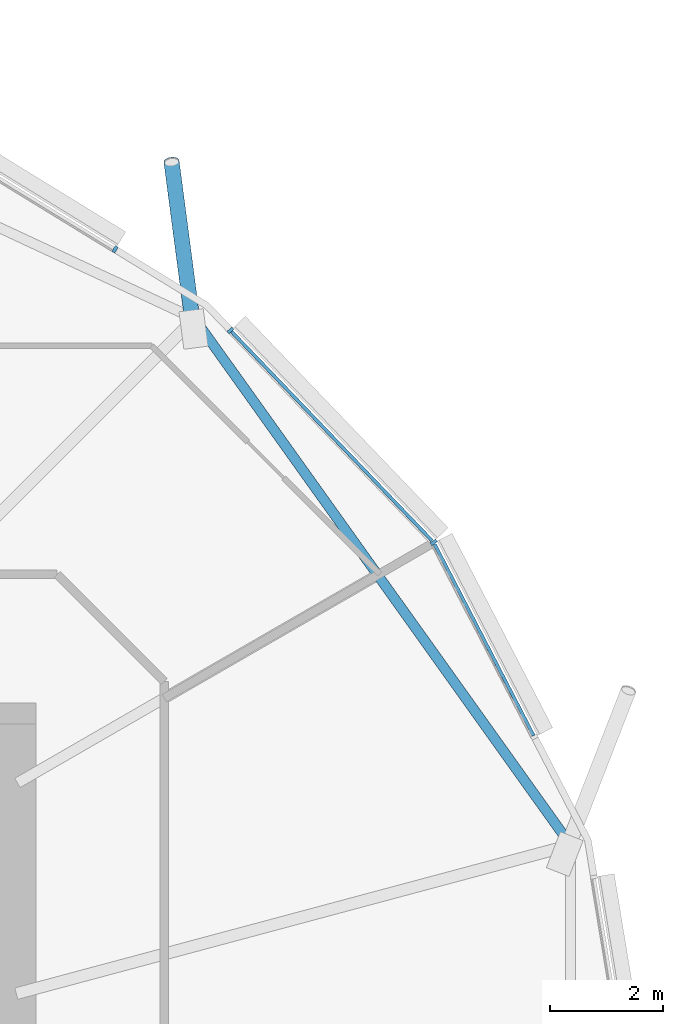
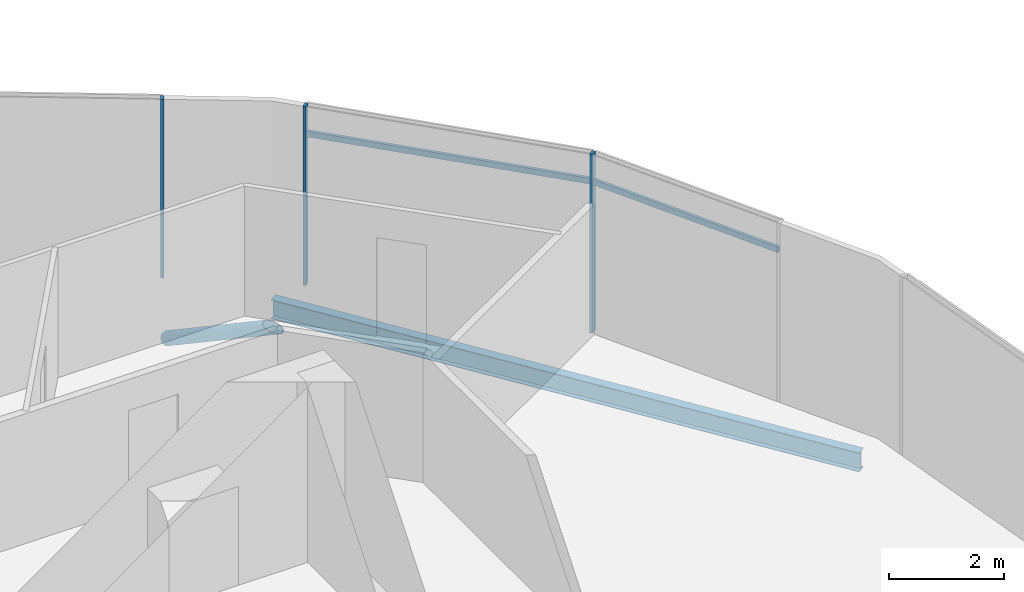
# One storey, part 12 of 38: 6 members, 1 beam, 1 element without a shape of its own.
"""IFC4 building model written with IfcOpenShell, lengths in metres."""

import ifcopenshell
import ifcopenshell.guid

model = None  # the IFC model being written
_history = None  # IfcOwnerHistory: only IFC2X3 demands one
_inside = {}  # id of a spatial element -> (the spatial element, [elements in it])
_under = {}  # id of a project, library or spatial element -> (it, [spatial elements below it])
_declared = {}  # id of a project -> (the project, [libraries it declares])
_typed = {}  # id of a type object -> (the type object, [elements of that type])
_made_of = {}  # id of a material, layer set ... -> (it, [elements and type objects made of it])


def new_model(schema):
    """Start an empty IFC model of exactly this schema.

    Asked for "IFC4X3", IfcOpenShell would pick the latest addendum, in which some entities
    have other attributes; the version numbers below select the first issue.
    IFC2X3 requires an IfcOwnerHistory on every rooted entity: one is made here for all.
    """
    global model, _history
    if schema == "IFC4X3":
        model = ifcopenshell.file(schema_version=(4, 3, 0, 0))
    else:
        model = ifcopenshell.file(schema=schema)
    _inside.clear()
    _under.clear()
    _declared.clear()
    _typed.clear()
    _made_of.clear()
    _history = None
    if model.schema == "IFC2X3":
        org = make("IfcOrganization", Name="unknown")
        user = make(
            "IfcPersonAndOrganization",
            ThePerson=make("IfcPerson", FamilyName="unknown"),
            TheOrganization=org,
        )
        app = make(
            "IfcApplication",
            ApplicationDeveloper=org,
            Version="unknown",
            ApplicationFullName="unknown",
            ApplicationIdentifier="unknown",
        )
        _history = make(
            "IfcOwnerHistory",
            OwningUser=user,
            OwningApplication=app,
            ChangeAction="ADDED",
            CreationDate=0,
        )
    return model


def make(cls, **values):
    """One entity of the class cls with the attributes given. An attribute that is None is left unset."""
    return model.create_entity(
        cls, **{name: value for name, value in values.items() if value is not None}
    )


def rooted(cls, **values):
    """An entity with a GlobalId (a new one), such as an element, a storey or a relation."""
    return make(cls, GlobalId=ifcopenshell.guid.new(), OwnerHistory=_history, **values)


def si_unit(unit_type, name, prefix=None):
    """IfcSIUnit, for example si_unit("LENGTHUNIT", "METRE", prefix="MILLI")."""
    return make("IfcSIUnit", UnitType=unit_type, Prefix=prefix, Name=name)


def assignment(units):
    """IfcUnitAssignment: the units of a project."""
    return None if units is None else make("IfcUnitAssignment", Units=units)


def point(xyz):
    """IfcCartesianPoint."""
    return None if xyz is None else make("IfcCartesianPoint", Coordinates=xyz)


def direction(xyz):
    """IfcDirection."""
    return None if xyz is None else make("IfcDirection", DirectionRatios=xyz)


def frame(location, z_axis=None, x_axis=None):
    """IfcAxis2Placement3D, a coordinate frame: its origin and axes. An axis left out is left unset."""
    return make(
        "IfcAxis2Placement3D",
        Location=point(location),
        Axis=direction(z_axis),
        RefDirection=direction(x_axis),
    )


def frame_2d(location, x_axis=None):
    """IfcAxis2Placement2D, a coordinate frame in the plane: its origin and x axis."""
    return make(
        "IfcAxis2Placement2D", Location=point(location), RefDirection=direction(x_axis)
    )


def origin():
    """The frame at (0, 0, 0) with its axes left unset."""
    return frame((0.0, 0.0, 0.0))


def origin_2d():
    """The frame at (0, 0) in the plane with its x axis left unset."""
    return frame_2d((0.0, 0.0))


def place(relative_to, where):
    """IfcLocalPlacement: puts the frame where relative to a parent placement (None: the world)."""
    return make(
        "IfcLocalPlacement", PlacementRelTo=relative_to, RelativePlacement=where
    )


def context(
    kind, dimensions, precision=None, world=None, true_north=None, identifier=None
):
    """IfcGeometricRepresentationContext, for example the 3D "Model" context."""
    return make(
        "IfcGeometricRepresentationContext",
        ContextIdentifier=identifier,
        ContextType=kind,
        CoordinateSpaceDimension=dimensions,
        Precision=precision,
        WorldCoordinateSystem=world,
        TrueNorth=true_north,
    )


def subcontext(parent, identifier, kind, view, scale=None):
    """IfcGeometricRepresentationSubContext, for example "Body" below "Model"."""
    return make(
        "IfcGeometricRepresentationSubContext",
        ContextIdentifier=identifier,
        ContextType=kind,
        ParentContext=parent,
        TargetScale=scale,
        TargetView=view,
    )


def project(units=None, contexts=None):
    """IfcProject with its units and contexts."""
    return rooted(
        "IfcProject",
        Name="project",
        RepresentationContexts=contexts,
        UnitsInContext=assignment(units),
    )


def spatial(cls, under=None, at=None, **own):
    """A site, building, storey or space (cls), placed at a placement, below another one or the project."""
    s = rooted(cls, ObjectPlacement=at, **own)
    if under is not None:
        _under.setdefault(under.id(), (under, []))[1].append(s)
    return s


def profile(cls, at=None, kind="AREA", **sizes):
    """A parametric profile (cls). Its sizes go by their IFC names, for example OverallWidth=200.0."""
    return make(cls, ProfileType=kind, Position=at, **sizes)


def rectangle(**sizes):
    """IfcRectangleProfileDef."""
    return profile("IfcRectangleProfileDef", **sizes)


def hollow_circle(**sizes):
    """IfcCircleHollowProfileDef."""
    return profile("IfcCircleHollowProfileDef", **sizes)


def i_section(**sizes):
    """IfcIShapeProfileDef."""
    return profile("IfcIShapeProfileDef", **sizes)


def extrude(swept, where, along, depth):
    """IfcExtrudedAreaSolid: the profile swept, set in the frame where, extruded along a direction by depth."""
    return make(
        "IfcExtrudedAreaSolid",
        SweptArea=swept,
        Position=where,
        ExtrudedDirection=direction(along),
        Depth=depth,
    )


def clip(a, b, op="DIFFERENCE"):
    """IfcBooleanClippingResult: the solid a cut by the half space b."""
    return make(
        "IfcBooleanClippingResult", Operator=op, FirstOperand=a, SecondOperand=b
    )


def halfspace(plane, agree):
    """IfcHalfSpaceSolid: all space on one side of the plane z = 0 of the frame plane."""
    return make(
        "IfcHalfSpaceSolid",
        BaseSurface=make("IfcPlane", Position=plane),
        AgreementFlag=agree,
    )


def shape(context_of_items, identifier, shape_type, items):
    """IfcShapeRepresentation: the items that make up one representation, for example the "Body"."""
    return make(
        "IfcShapeRepresentation",
        ContextOfItems=context_of_items,
        RepresentationIdentifier=identifier,
        RepresentationType=shape_type,
        Items=items,
    )


def material(Name=None, Category=None):
    """IfcMaterial."""
    return make("IfcMaterial", Name=Name, Category=Category)


def material_profile(
    of_material, cross_section, Name=None, Category=None, Priority=None
):
    """IfcMaterialProfile: a cross section and its material."""
    return make(
        "IfcMaterialProfile",
        Name=Name,
        Material=of_material,
        Profile=cross_section,
        Priority=Priority,
        Category=Category,
    )


def profile_set(profiles, Name=None, composite=None):
    """IfcMaterialProfileSet."""
    return make(
        "IfcMaterialProfileSet",
        Name=Name,
        MaterialProfiles=profiles,
        CompositeProfile=composite,
    )


def made_of(thing, what):
    """Note that an element or type object is made of a material, layer set ...; save() writes the relation."""
    if what is not None:
        _made_of.setdefault(what.id(), (what, []))[1].append(thing)
    return thing


def type_object(cls, material=None, **own):
    """A type object (cls), such as IfcWallType, which elements share."""
    return made_of(rooted(cls, **own), material)


def element(
    cls,
    number,
    at=None,
    inside=None,
    cuts=None,
    type_object=None,
    material=None,
    context=None,
    identifier="Body",
    shape_type=None,
    held_by="IfcProductDefinitionShape",
    body=None,
    shapes=None,
    **own,
):
    """One element of the class cls, such as IfcWall. Its Tag is "e" and its number.

    at: its placement. inside: the storey or other place that contains it. cuts: it is an
    opening in that element (IfcRelVoidsElement). A single representation is given by context,
    identifier, shape_type and body (its items); several are given by shapes. held_by: the class
    of the entity that holds the representations. save() writes the other relations.
    """
    e = rooted(cls, Tag="e%d" % number, ObjectPlacement=at, **own)
    if body is not None:
        shapes = [shape(context, identifier, shape_type, body)]
    if shapes is not None:
        e.Representation = make(held_by, Representations=shapes)
    if inside is not None:
        _inside.setdefault(inside.id(), (inside, []))[1].append(e)
    if cuts is not None:
        rooted(
            "IfcRelVoidsElement", RelatingBuildingElement=cuts, RelatedOpeningElement=e
        )
    if type_object is not None:
        _typed.setdefault(type_object.id(), (type_object, []))[1].append(e)
    return made_of(e, material)


def aggregate(whole, parts):
    """IfcRelAggregates: a whole, such as a stair, and the parts it consists of."""
    return rooted("IfcRelAggregates", RelatingObject=whole, RelatedObjects=parts)


def save(model, path):
    """Write the relations noted so far, then the file.

    IfcRelAggregates (storeys below a building ...), IfcRelContainedInSpatialStructure (elements
    in a storey), IfcRelDefinesByType, IfcRelAssociatesMaterial and IfcRelDeclares: one each for
    every whole, place, type object, material and project.
    """
    for whole, parts in _under.values():
        aggregate(whole, parts)
    for where, things in _inside.values():
        rooted(
            "IfcRelContainedInSpatialStructure",
            RelatedElements=things,
            RelatingStructure=where,
        )
    for kind, things in _typed.values():
        rooted("IfcRelDefinesByType", RelatedObjects=things, RelatingType=kind)
    for what, things in _made_of.values():
        rooted("IfcRelAssociatesMaterial", RelatedObjects=things, RelatingMaterial=what)
    for by, libraries in _declared.values():
        rooted("IfcRelDeclares", RelatingContext=by, RelatedDefinitions=libraries)
    model.write(path)


model = new_model("IFC4")

# Units and contexts
model_context = context("Model", 3, precision=1e-05, world=origin(), true_north=direction((0.0, 1.0)))
body_context = subcontext(model_context, "Body", "Model", "MODEL_VIEW")
ifc_project = project(units=[si_unit("LENGTHUNIT", "METRE"), si_unit("AREAUNIT", "SQUARE_METRE"), si_unit("VOLUMEUNIT", "CUBIC_METRE"), si_unit("PLANEANGLEUNIT", "RADIAN"), si_unit("MASSUNIT", "GRAM", prefix="KILO")], contexts=[model_context])

# Site, building, storey
site_placement = place(None, origin())
site = spatial("IfcSite", under=ifc_project, at=site_placement, CompositionType="ELEMENT")
building_placement = place(site_placement, origin())
building = spatial("IfcBuilding", under=site, at=building_placement, Name="Rimbun Link Towers", CompositionType="ELEMENT")
storey_placement = place(building_placement, frame((0.0, 0.0, 123.39990234375)))
storey = spatial("IfcBuildingStorey", under=building, at=storey_placement, Name="L30", CompositionType="ELEMENT", Elevation=123.39990234375)

# Curtain wall, members
ifc_material_1 = material(Name="Aluminium 6063-T6 and low-iron glass", Category="aluminium")
curtain_wall_type = type_object("IfcCurtainWallType", Name="CW1-Z2 unitised vision wall (zone 2)", PredefinedType="NOTDEFINED", material=ifc_material_1)
curtain_wall_placement = place(storey_placement, origin())
curtain_wall = element("IfcCurtainWall", 1, at=curtain_wall_placement, inside=storey, type_object=curtain_wall_type, Name="CW1 L30 T1", PredefinedType="NOTDEFINED")
ifc_material_2 = material(Name="Aluminium 6063-T6", Category="aluminium")
ifc_material_profile_1 = material_profile(ifc_material_2, rectangle(XDim=0.1201171875, YDim=0.06005859375, at=origin_2d()), Name="MULLION 60X120")
ifc_profile_set_1 = profile_set([ifc_material_profile_1], Name="Aluminium 6063-T6")
member_type_1 = type_object("IfcMemberType", Name="CW1 mullion 60X120", PredefinedType="MULLION", material=ifc_profile_set_1)
member_1_placement = place(storey_placement, frame((-12.32763671875, 11.22021484375, 0.0), z_axis=(0.0, 0.0, 1.0), x_axis=(0.813347990418, 0.581777488807, 0.0)))
member_1 = element("IfcMember", 2, at=member_1_placement, type_object=member_type_1, Name="CW1 mullion", PredefinedType="MULLION", context=body_context, shape_type="SweptSolid", body=[
    extrude(rectangle(XDim=0.1201171875, YDim=0.06005859375, at=origin_2d()), origin(), (0.0, 0.0, 1.0), 3.800048828125),
])
member_2_placement = place(storey_placement, frame((-15.92578125, 14.97412109375, 0.0), z_axis=(0.0, 0.0, 1.0), x_axis=(0.721834717261, 0.692065488922, 0.0)))
member_2 = element("IfcMember", 3, at=member_2_placement, type_object=member_type_1, Name="CW1 mullion", PredefinedType="MULLION", context=body_context, shape_type="SweptSolid", body=[
    extrude(rectangle(XDim=0.1201171875, YDim=0.06005859375, at=origin_2d()), origin(), (0.0, 0.0, 1.0), 3.800048828125),
])
member_3_placement = place(storey_placement, frame((-17.97216796875, 16.410888671875, 0.0), z_axis=(0.0, 0.0, 1.0), x_axis=(0.523243332621, 0.852183322336, 0.0)))
member_3 = element("IfcMember", 4, at=member_3_placement, type_object=member_type_1, Name="CW1 mullion", PredefinedType="MULLION", context=body_context, shape_type="SweptSolid", body=[
    extrude(rectangle(XDim=0.1201171875, YDim=0.06005859375, at=origin_2d()), origin(), (0.0, 0.0, 1.0), 3.800048828125),
])
ifc_material_3 = material(Name="Aluminium 6063-T6", Category="aluminium")
ifc_material_profile_2 = material_profile(ifc_material_3, rectangle(XDim=0.06005859375, YDim=0.1201171875, at=origin_2d()), Name="TRANSOM 60X120")
ifc_profile_set_2 = profile_set([ifc_material_profile_2], Name="Aluminium 6063-T6")
member_type_2 = type_object("IfcMemberType", Name="CW1 transom 60X120", PredefinedType="USERDEFINED", material=ifc_profile_set_2)
member_4_placement = place(storey_placement, frame((-12.311279296875, 11.185302734375, 3.2001953125), z_axis=(0.459527309955, -0.888163639993, 0.0), x_axis=(0.888163639993, 0.459527309955, 0.0)))
member_4 = element("IfcMember", 5, at=member_4_placement, type_object=member_type_2, Name="CW1 transom", ObjectType="TRANSOM", PredefinedType="USERDEFINED", context=body_context, shape_type="SweptSolid", body=[
    extrude(rectangle(XDim=0.06005859375, YDim=0.1201171875, at=origin_2d()), origin(), (0.0, 0.0, 1.0), 3.8173828125),
])
member_5_placement = place(storey_placement, frame((-15.906494140625, 14.950927734375, 3.2001953125), z_axis=(0.692057260801, -0.721842605955, 0.0), x_axis=(0.721842605955, 0.692057260801, 0.0)))
member_5 = element("IfcMember", 6, at=member_5_placement, type_object=member_type_2, Name="CW1 transom", ObjectType="TRANSOM", PredefinedType="USERDEFINED", context=body_context, shape_type="SweptSolid", body=[
    extrude(rectangle(XDim=0.06005859375, YDim=0.1201171875, at=origin_2d()), origin(), (0.0, 0.0, 1.0), 5.131103515625),
])
aggregate(curtain_wall, [member_1, member_2, member_3, member_4, member_5])

# Member
ifc_material_4 = material(Name="Steel S355J2H", Category="steel")
ifc_material_profile_3 = material_profile(ifc_material_4, hollow_circle(Radius=0.136474609375, WallThickness=0.012451171875, at=origin_2d()), Name="CHS 273x12.5")
ifc_profile_set_3 = profile_set([ifc_material_profile_3], Name="Steel S355J2H")
member_type_3 = type_object("IfcMemberType", Name="Floor edge link CHS 273x12.5", PredefinedType="BRACE", material=ifc_profile_set_3)
member_6_placement = place(storey_placement, frame((-16.6015625, 15.1484375, -0.808349609375), z_axis=(-0.110090822151, 0.837313540695, -0.535524084843), x_axis=(-0.991466851249, -0.13035905367, 0.0)))
element("IfcMember", 7, at=member_6_placement, inside=storey, type_object=member_type_3, Name="Floor edge link T1 L30 03", PredefinedType="BRACE", context=body_context, shape_type="Clipping", body=[
    clip(extrude(hollow_circle(Radius=0.136474609375, WallThickness=0.012451171875, at=origin_2d()), frame((0.0, 0.0, -0.44921875)), (0.0, 0.0, 1.0), 3.81787109375), halfspace(frame((0.0, 0.0, -0.211669921875), z_axis=(0.0, 0.844519955095, -0.535524084843)), False)),
])

# Beam
ifc_material_5 = material(Name="Steel S355J2", Category="steel")
ifc_material_profile_4 = material_profile(ifc_material_5, i_section(OverallWidth=0.177978515625, OverallDepth=0.406494140625, WebThickness=0.0078125, FlangeThickness=0.0126953125, at=origin_2d()), Name="UB 406x178x60")
ifc_profile_set_4 = profile_set([ifc_material_profile_4], Name="Steel S355J2")
beam_type = type_object("IfcBeamType", Name="UB 406x178x60", PredefinedType="BEAM", material=ifc_profile_set_4)
beam_placement = place(storey_placement, frame((-9.96533203125, 5.946533203125, -0.363037109375), z_axis=(-0.581400410141, 0.813617577913, 0.0), x_axis=(-0.813617577913, -0.581400410141, 0.0)))
element("IfcBeam", 8, at=beam_placement, inside=storey, type_object=beam_type, Name="Edge beam T1 L30 01-03", PredefinedType="BEAM", context=body_context, shape_type="SweptSolid", body=[
    extrude(i_section(OverallWidth=0.177978515625, OverallDepth=0.406494140625, WebThickness=0.0078125, FlangeThickness=0.0126953125, at=origin_2d()), origin(), (0.0, 0.0, 1.0), 11.246337890625),
])

save(model, "model.ifc")
